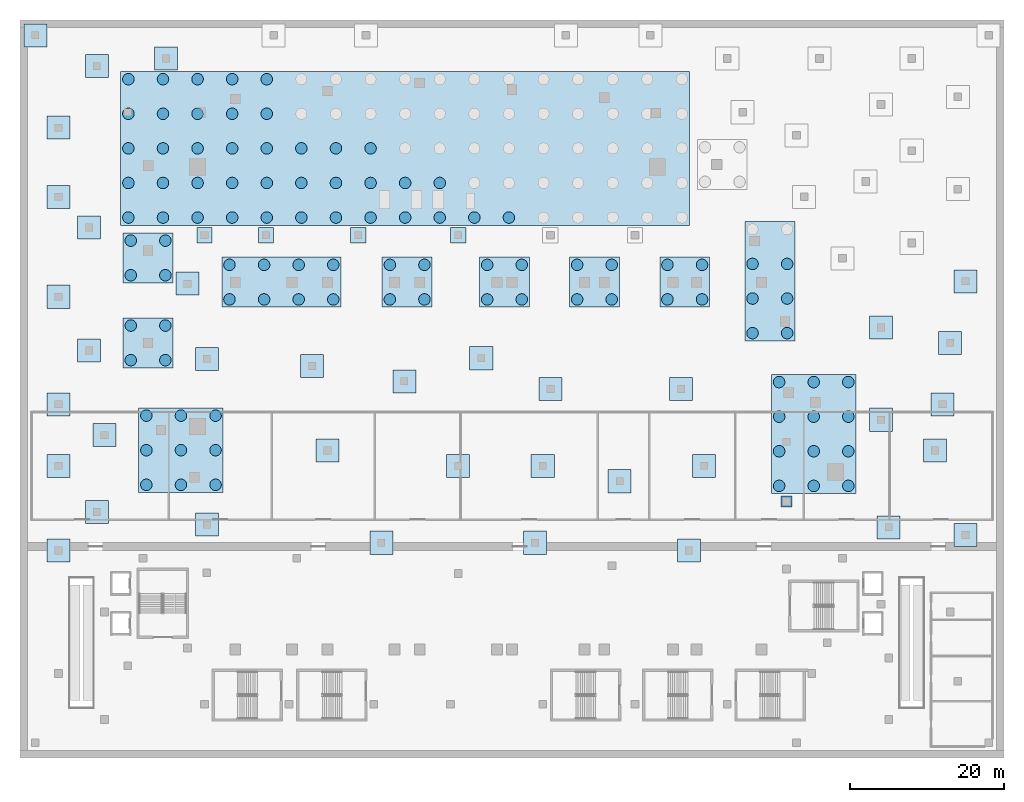
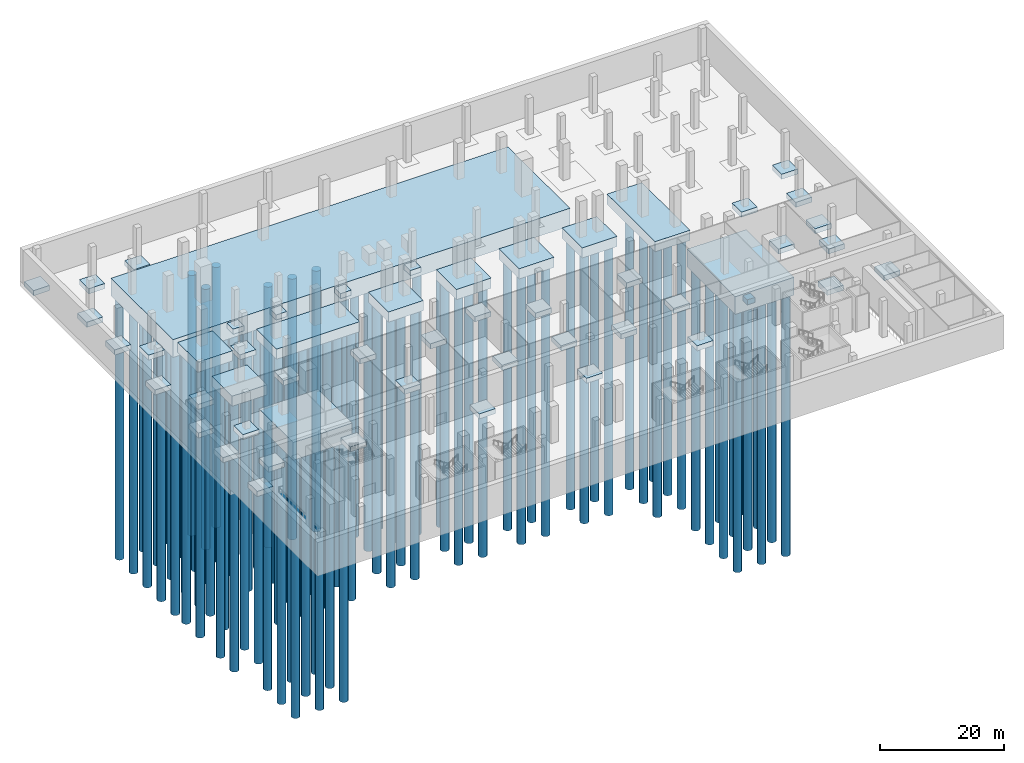
# One storey, part 1 of 15: 99 piles, 53 footings.
"""IFC4 building model written with IfcOpenShell, lengths in metres."""

from ifc_helpers import new_model, si_unit, direction, frame, origin, origin_2d, place, context, subcontext, project, spatial, polyline, circle, outline, extrude, material, material_profile, profile_set, type_object, element, save


model = new_model("IFC4")

# Units and contexts
model_context = context("Model", 3, precision=1e-05, world=origin(), true_north=direction((0.0, 1.0)))
body_context = subcontext(model_context, "Body", "Model", "MODEL_VIEW")
ifc_project = project(units=[si_unit("LENGTHUNIT", "METRE"), si_unit("AREAUNIT", "SQUARE_METRE"), si_unit("VOLUMEUNIT", "CUBIC_METRE"), si_unit("PLANEANGLEUNIT", "RADIAN"), si_unit("MASSUNIT", "GRAM", prefix="KILO")], contexts=[model_context])

# Site, building, storey
site_placement = place(None, origin())
site = spatial("IfcSite", under=ifc_project, at=site_placement, CompositionType="ELEMENT")
building_placement = place(site_placement, origin())
building = spatial("IfcBuilding", under=site, at=building_placement, Name="Wharfspan Tower", CompositionType="ELEMENT")
storey_placement = place(building_placement, frame((0.0, 0.0, -7.199951)))
storey = spatial("IfcBuildingStorey", under=building, at=storey_placement, Name="B1", CompositionType="ELEMENT", Elevation=-7.199951)

# Piles
ifc_material_1 = material(Name="Concrete C35/45", Category="concrete")
ifc_material_profile = material_profile(ifc_material_1, circle(Radius=0.75, at=origin_2d()))
ifc_profile_set = profile_set([ifc_material_profile], Name="Concrete C35/45")
pile_type = type_object("IfcPileType", Name="Bored pile D1500", PredefinedType="BORED", material=ifc_profile_set)
for number, where, z_axis, x_axis, name in (
    (1, (-1.899902, 34.300049, -3.425049), (0.0, 0.0, -1.0), (1.0, 0.0, 0.0), "Bored pile F01-01"),
    (2, (2.600098, 34.300049, -3.425049), (0.0, 0.0, -1.0), (1.0, 0.0, 0.0), "Bored pile F01-02"),
    (3, (7.100098, 34.300049, -3.425049), (0.0, 0.0, -1.0), (1.0, 0.0, 0.0), "Bored pile F01-03"),
    (4, (11.600098, 34.300049, -3.425049), (0.0, 0.0, -1.0), (1.0, 0.0, 0.0), "Bored pile F01-04"),
    (5, (16.100098, 34.300049, -3.425049), (0.0, 0.0, -1.0), (1.0, 0.0, 0.0), "Bored pile F01-05"),
    (6, (20.600098, 34.300049, -3.425049), (0.0, 0.0, -1.0), (1.0, 0.0, 0.0), "Bored pile F01-06"),
    (7, (25.100098, 34.300049, -3.425049), (0.0, 0.0, -1.0), (1.0, 0.0, 0.0), "Bored pile F01-07"),
    (8, (29.600098, 34.300049, -3.425049), (0.0, 0.0, -1.0), (1.0, 0.0, 0.0), "Bored pile F01-08"),
    (9, (34.100098, 34.300049, -3.425049), (0.0, 0.0, -1.0), (1.0, 0.0, 0.0), "Bored pile F01-09"),
    (10, (38.600098, 34.300049, -3.425049), (0.0, 0.0, -1.0), (1.0, 0.0, 0.0), "Bored pile F01-10"),
    (11, (43.100098, 34.300049, -3.425049), (0.0, 0.0, -1.0), (1.0, 0.0, 0.0), "Bored pile F01-11"),
    (12, (47.600098, 34.300049, -3.425049), (0.0, 0.0, -1.0), (1.0, 0.0, 0.0), "Bored pile F01-12"),
    (13, (-1.899902, 38.800049, -3.425049), (0.0, 0.0, -1.0), (1.0, 0.0, 0.0), "Bored pile F01-18"),
    (14, (2.600098, 38.800049, -3.425049), (0.0, 0.0, -1.0), (1.0, 0.0, 0.0), "Bored pile F01-19"),
    (15, (7.100098, 38.800049, -3.425049), (0.0, 0.0, -1.0), (1.0, 0.0, 0.0), "Bored pile F01-20"),
    (16, (11.600098, 38.800049, -3.425049), (0.0, 0.0, -1.0), (1.0, 0.0, 0.0), "Bored pile F01-21"),
    (17, (16.100098, 38.800049, -3.425049), (0.0, 0.0, -1.0), (1.0, 0.0, 0.0), "Bored pile F01-22"),
    (18, (20.600098, 38.800049, -3.425049), (0.0, 0.0, -1.0), (1.0, 0.0, 0.0), "Bored pile F01-23"),
    (19, (25.100098, 38.800049, -3.425049), (0.0, 0.0, -1.0), (1.0, 0.0, 0.0), "Bored pile F01-24"),
    (20, (29.600098, 38.800049, -3.425049), (0.0, 0.0, -1.0), (1.0, 0.0, 0.0), "Bored pile F01-25"),
    (21, (34.100098, 38.800049, -3.425049), (0.0, 0.0, -1.0), (1.0, 0.0, 0.0), "Bored pile F01-26"),
    (22, (38.600098, 38.800049, -3.425049), (0.0, 0.0, -1.0), (1.0, 0.0, 0.0), "Bored pile F01-27"),
    (23, (-1.899902, 43.300049, -3.425049), (0.0, 0.0, -1.0), (1.0, 0.0, 0.0), "Bored pile F01-35"),
    (24, (2.600098, 43.300049, -3.425049), (0.0, 0.0, -1.0), (1.0, 0.0, 0.0), "Bored pile F01-36"),
    (25, (7.100098, 43.300049, -3.425049), (0.0, 0.0, -1.0), (1.0, 0.0, 0.0), "Bored pile F01-37"),
    (26, (11.600098, 43.300049, -3.425049), (0.0, 0.0, -1.0), (1.0, 0.0, 0.0), "Bored pile F01-38"),
    (27, (16.100098, 43.300049, -3.425049), (0.0, 0.0, -1.0), (1.0, 0.0, 0.0), "Bored pile F01-39"),
    (28, (20.600098, 43.300049, -3.425049), (0.0, 0.0, -1.0), (1.0, 0.0, 0.0), "Bored pile F01-40"),
    (29, (25.100098, 43.300049, -3.425049), (0.0, 0.0, -1.0), (1.0, 0.0, 0.0), "Bored pile F01-41"),
    (30, (29.600098, 43.300049, -3.425049), (0.0, 0.0, -1.0), (1.0, 0.0, 0.0), "Bored pile F01-42"),
    (31, (-1.899902, 47.800049, -3.425049), (0.0, 0.0, -1.0), (1.0, 0.0, 0.0), "Bored pile F01-52"),
    (32, (2.600098, 47.800049, -3.425049), (0.0, 0.0, -1.0), (1.0, 0.0, 0.0), "Bored pile F01-53"),
    (33, (7.100098, 47.800049, -3.425049), (0.0, 0.0, -1.0), (1.0, 0.0, 0.0), "Bored pile F01-54"),
    (34, (11.600098, 47.800049, -3.425049), (0.0, 0.0, -1.0), (1.0, 0.0, 0.0), "Bored pile F01-55"),
    (35, (16.100098, 47.800049, -3.425049), (0.0, 0.0, -1.0), (1.0, 0.0, 0.0), "Bored pile F01-56"),
    (36, (-1.899902, 52.300049, -3.425049), (0.0, 0.0, -1.0), (1.0, 0.0, 0.0), "Bored pile F01-69"),
    (37, (2.600098, 52.300049, -3.425049), (0.0, 0.0, -1.0), (1.0, 0.0, 0.0), "Bored pile F01-70"),
    (38, (7.100098, 52.300049, -3.425049), (0.0, 0.0, -1.0), (1.0, 0.0, 0.0), "Bored pile F01-71"),
    (39, (11.600098, 52.300049, -3.425049), (0.0, 0.0, -1.0), (1.0, 0.0, 0.0), "Bored pile F01-72"),
    (40, (16.100098, 52.300049, -3.425049), (0.0, 0.0, -1.0), (1.0, 0.0, 0.0), "Bored pile F01-73"),
    (41, (82.748291, -0.600098, -3.425049), (0.0, 0.0, -1.0), (1.0, 0.0, 0.0), "Bored pile F08-01"),
    (42, (87.248291, -0.600098, -3.425049), (0.0, 0.0, -1.0), (1.0, 0.0, 0.0), "Bored pile F08-02"),
    (43, (91.748291, -0.600098, -3.425049), (0.0, 0.0, -1.0), (1.0, 0.0, 0.0), "Bored pile F08-03"),
    (44, (82.748291, 3.899902, -3.425049), (0.0, 0.0, -1.0), (1.0, 0.0, 0.0), "Bored pile F08-04"),
    (45, (87.248291, 3.899902, -3.425049), (0.0, 0.0, -1.0), (1.0, 0.0, 0.0), "Bored pile F08-05"),
    (46, (91.748291, 3.899902, -3.425049), (0.0, 0.0, -1.0), (1.0, 0.0, 0.0), "Bored pile F08-06"),
    (47, (82.748291, 8.399902, -3.425049), (0.0, 0.0, -1.0), (1.0, 0.0, 0.0), "Bored pile F08-07"),
    (48, (87.248291, 8.399902, -3.425049), (0.0, 0.0, -1.0), (1.0, 0.0, 0.0), "Bored pile F08-08"),
    (49, (91.748291, 8.399902, -3.425049), (0.0, 0.0, -1.0), (1.0, 0.0, 0.0), "Bored pile F08-09"),
    (50, (82.748291, 12.899902, -3.425049), (0.0, 0.0, -1.0), (1.0, 0.0, 0.0), "Bored pile F08-10"),
    (51, (87.248291, 12.899902, -3.425049), (0.0, 0.0, -1.0), (1.0, 0.0, 0.0), "Bored pile F08-11"),
    (52, (91.748291, 12.899902, -3.425049), (0.0, 0.0, -1.0), (1.0, 0.0, 0.0), "Bored pile F08-12"),
    (53, (0.435791, -0.46582, -3.425049), (0.0, 0.0, -1.0), (1.0, 0.0, 0.0), "Bored pile F09-01"),
    (54, (4.935791, -0.46582, -3.425049), (0.0, 0.0, -1.0), (1.0, 0.0, 0.0), "Bored pile F09-02"),
    (55, (9.435791, -0.46582, -3.425049), (0.0, 0.0, -1.0), (1.0, 0.0, 0.0), "Bored pile F09-03"),
    (56, (0.435791, 4.03418, -3.425049), (0.0, 0.0, -1.0), (1.0, 0.0, 0.0), "Bored pile F09-04"),
    (57, (4.935791, 4.03418, -3.425049), (0.0, 0.0, -1.0), (1.0, 0.0, 0.0), "Bored pile F09-05"),
    (58, (9.435791, 4.03418, -3.425049), (0.0, 0.0, -1.0), (1.0, 0.0, 0.0), "Bored pile F09-06"),
    (59, (0.435791, 8.53418, -3.425049), (0.0, 0.0, -1.0), (1.0, 0.0, 0.0), "Bored pile F09-07"),
    (60, (4.935791, 8.53418, -3.425049), (0.0, 0.0, -1.0), (1.0, 0.0, 0.0), "Bored pile F09-08"),
    (61, (9.435791, 8.53418, -3.425049), (0.0, 0.0, -1.0), (1.0, 0.0, 0.0), "Bored pile F09-09"),
):
    element("IfcPile", number, at=place(storey_placement, frame(where, z_axis=z_axis, x_axis=x_axis)), inside=storey, type_object=pile_type, Name=name, PredefinedType="BORED", context=body_context, shape_type="SweptSolid", body=[
        extrude(circle(Radius=0.75, at=origin_2d()), origin(), (0.0, 0.0, 1.0), 51.375),
    ])
for number, where, z_axis, x_axis, name in (
    (62, (-1.590088, 15.75, -1.925049), (0.0, 0.0, -1.0), (1.0, 0.0, 0.0), "Bored pile F10-01"),
    (63, (2.909912, 15.75, -1.925049), (0.0, 0.0, -1.0), (1.0, 0.0, 0.0), "Bored pile F10-02"),
    (64, (-1.590088, 20.25, -1.925049), (0.0, 0.0, -1.0), (1.0, 0.0, 0.0), "Bored pile F10-03"),
    (65, (2.909912, 20.25, -1.925049), (0.0, 0.0, -1.0), (1.0, 0.0, 0.0), "Bored pile F10-04"),
    (66, (79.28833, 19.268311, -1.925049), (0.0, 0.0, -1.0), (1.0, 0.0, 0.0), "Bored pile F11-01"),
    (67, (83.78833, 19.268311, -1.925049), (0.0, 0.0, -1.0), (1.0, 0.0, 0.0), "Bored pile F11-02"),
    (68, (79.28833, 23.768311, -1.925049), (0.0, 0.0, -1.0), (1.0, 0.0, 0.0), "Bored pile F11-03"),
    (69, (83.78833, 23.768311, -1.925049), (0.0, 0.0, -1.0), (1.0, 0.0, 0.0), "Bored pile F11-04"),
    (70, (79.28833, 28.268311, -1.925049), (0.0, 0.0, -1.0), (1.0, 0.0, 0.0), "Bored pile F11-05"),
    (71, (83.78833, 28.268311, -1.925049), (0.0, 0.0, -1.0), (1.0, 0.0, 0.0), "Bored pile F11-06"),
    (72, (11.25, 23.649902, -1.925049), (0.0, 0.0, -1.0), (1.0, 0.0, 0.0), "Bored pile F12-01"),
    (73, (15.75, 23.649902, -1.925049), (0.0, 0.0, -1.0), (1.0, 0.0, 0.0), "Bored pile F12-02"),
    (74, (20.25, 23.649902, -1.925049), (0.0, 0.0, -1.0), (1.0, 0.0, 0.0), "Bored pile F12-03"),
    (75, (24.75, 23.649902, -1.925049), (0.0, 0.0, -1.0), (1.0, 0.0, 0.0), "Bored pile F12-04"),
    (76, (11.25, 28.149902, -1.925049), (0.0, 0.0, -1.0), (1.0, 0.0, 0.0), "Bored pile F12-05"),
    (77, (15.75, 28.149902, -1.925049), (0.0, 0.0, -1.0), (1.0, 0.0, 0.0), "Bored pile F12-06"),
    (78, (20.25, 28.149902, -1.925049), (0.0, 0.0, -1.0), (1.0, 0.0, 0.0), "Bored pile F12-07"),
    (79, (24.75, 28.149902, -1.925049), (0.0, 0.0, -1.0), (1.0, 0.0, 0.0), "Bored pile F12-08"),
    (80, (32.112061, 23.649902, -1.925049), (0.0, 0.0, -1.0), (1.0, 0.0, 0.0), "Bored pile F13-01"),
    (81, (36.612061, 23.649902, -1.925049), (0.0, 0.0, -1.0), (1.0, 0.0, 0.0), "Bored pile F13-02"),
    (82, (32.112061, 28.149902, -1.925049), (0.0, 0.0, -1.0), (1.0, 0.0, 0.0), "Bored pile F13-03"),
    (83, (36.612061, 28.149902, -1.925049), (0.0, 0.0, -1.0), (1.0, 0.0, 0.0), "Bored pile F13-04"),
    (84, (44.770996, 23.649902, -1.925049), (0.0, 0.0, -1.0), (1.0, 0.0, 0.0), "Bored pile F14-01"),
    (85, (49.270996, 23.649902, -1.925049), (0.0, 0.0, -1.0), (1.0, 0.0, 0.0), "Bored pile F14-02"),
    (86, (44.770996, 28.149902, -1.925049), (0.0, 0.0, -1.0), (1.0, 0.0, 0.0), "Bored pile F14-03"),
    (87, (49.270996, 28.149902, -1.925049), (0.0, 0.0, -1.0), (1.0, 0.0, 0.0), "Bored pile F14-04"),
    (88, (56.470947, 23.649902, -1.925049), (0.0, 0.0, -1.0), (1.0, 0.0, 0.0), "Bored pile F15-01"),
    (89, (60.970947, 23.649902, -1.925049), (0.0, 0.0, -1.0), (1.0, 0.0, 0.0), "Bored pile F15-02"),
    (90, (56.470947, 28.149902, -1.925049), (0.0, 0.0, -1.0), (1.0, 0.0, 0.0), "Bored pile F15-03"),
    (91, (60.970947, 28.149902, -1.925049), (0.0, 0.0, -1.0), (1.0, 0.0, 0.0), "Bored pile F15-04"),
    (92, (68.220947, 23.649902, -1.925049), (0.0, 0.0, -1.0), (1.0, 0.0, 0.0), "Bored pile F16-01"),
    (93, (72.720947, 23.649902, -1.925049), (0.0, 0.0, -1.0), (1.0, 0.0, 0.0), "Bored pile F16-02"),
    (94, (68.220947, 28.149902, -1.925049), (0.0, 0.0, -1.0), (1.0, 0.0, 0.0), "Bored pile F16-03"),
    (95, (72.720947, 28.149902, -1.925049), (0.0, 0.0, -1.0), (1.0, 0.0, 0.0), "Bored pile F16-04"),
    (96, (-1.590088, 26.800049, -1.925049), (0.0, 0.0, -1.0), (1.0, 0.0, 0.0), "Bored pile F17-01"),
    (97, (2.909912, 26.800049, -1.925049), (0.0, 0.0, -1.0), (1.0, 0.0, 0.0), "Bored pile F17-02"),
    (98, (-1.590088, 31.300049, -1.925049), (0.0, 0.0, -1.0), (1.0, 0.0, 0.0), "Bored pile F17-03"),
    (99, (2.909912, 31.300049, -1.925049), (0.0, 0.0, -1.0), (1.0, 0.0, 0.0), "Bored pile F17-04"),
):
    element("IfcPile", number, at=place(storey_placement, frame(where, z_axis=z_axis, x_axis=x_axis)), inside=storey, type_object=pile_type, Name=name, PredefinedType="BORED", context=body_context, shape_type="SweptSolid", body=[
        extrude(circle(Radius=0.75, at=origin_2d()), origin(), (0.0, 0.0, 1.0), 52.875),
    ])

# Footings
footing_type_1 = type_object("IfcFootingType", Name="Pad footing 1400 square, 1000 deep", PredefinedType="PAD_FOOTING", material=ifc_material_1)
footing_1_placement = place(storey_placement, frame((0.0, 0.0, -1.0)))
element("IfcFooting", 100, at=footing_1_placement, inside=storey, type_object=footing_type_1, Name="Pad footing P.G.E7", PredefinedType="PAD_FOOTING", context=body_context, shape_type="SweptSolid", body=[
    extrude(outline(polyline([(83.0, -3.340088), (84.399902, -3.340088), (84.399902, -1.939941), (83.0, -1.939941), (83.0, -3.340088)])), origin(), (0.0, 0.0, 1.0), 1.0),
])
footing_type_2 = type_object("IfcFootingType", Name="Pad footing 2000 square, 1000 deep", PredefinedType="PAD_FOOTING", material=ifc_material_1)
footing_2_placement = place(storey_placement, frame((0.0, 0.0, -1.0)))
element("IfcFooting", 101, at=footing_2_placement, inside=storey, type_object=footing_type_2, Name="Pad footing P.D.50", PredefinedType="PAD_FOOTING", context=body_context, shape_type="SweptSolid", body=[
    extrude(outline(polyline([(7.0, 31.0), (9.0, 31.0), (9.0, 33.0), (7.0, 33.0), (7.0, 31.0)])), origin(), (0.0, 0.0, 1.0), 1.0),
])
footing_3_placement = place(storey_placement, frame((0.0, 0.0, -1.0)))
element("IfcFooting", 102, at=footing_3_placement, inside=storey, type_object=footing_type_2, Name="Pad footing P.D.47", PredefinedType="PAD_FOOTING", context=body_context, shape_type="SweptSolid", body=[
    extrude(outline(polyline([(15.0, 31.0), (17.0, 31.0), (17.0, 33.0), (15.0, 33.0), (15.0, 31.0)])), origin(), (0.0, 0.0, 1.0), 1.0),
])
footing_4_placement = place(storey_placement, frame((0.0, 0.0, -1.0)))
element("IfcFooting", 103, at=footing_4_placement, inside=storey, type_object=footing_type_2, Name="Pad footing P.D.42", PredefinedType="PAD_FOOTING", context=body_context, shape_type="SweptSolid", body=[
    extrude(outline(polyline([(27.0, 31.0), (29.0, 31.0), (29.0, 33.0), (27.0, 33.0), (27.0, 31.0)])), origin(), (0.0, 0.0, 1.0), 1.0),
])
footing_5_placement = place(storey_placement, frame((0.0, 0.0, -1.0)))
element("IfcFooting", 104, at=footing_5_placement, inside=storey, type_object=footing_type_2, Name="Pad footing P.D.37", PredefinedType="PAD_FOOTING", context=body_context, shape_type="SweptSolid", body=[
    extrude(outline(polyline([(40.0, 31.0), (42.0, 31.0), (42.0, 33.0), (40.0, 33.0), (40.0, 31.0)])), origin(), (0.0, 0.0, 1.0), 1.0),
])
footing_type_3 = type_object("IfcFootingType", Name="Pad footing 3000 square, 1000 deep", PredefinedType="PAD_FOOTING", material=ifc_material_1)
footing_6_placement = place(storey_placement, frame((0.0, 0.0, -1.0)))
element("IfcFooting", 105, at=footing_6_placement, inside=storey, type_object=footing_type_3, Name="Pad footing P.D.4", PredefinedType="PAD_FOOTING", context=body_context, shape_type="SweptSolid", body=[
    extrude(outline(polyline([(-12.5, -10.5), (-9.5, -10.5), (-9.5, -7.5), (-12.5, -7.5), (-12.5, -10.5)])), origin(), (0.0, 0.0, 1.0), 1.0),
])
footing_7_placement = place(storey_placement, frame((0.0, 0.0, -1.0)))
element("IfcFooting", 106, at=footing_7_placement, inside=storey, type_object=footing_type_3, Name="Pad footing P.B.9", PredefinedType="PAD_FOOTING", context=body_context, shape_type="SweptSolid", body=[
    extrude(outline(polyline([(69.5, -10.5), (72.5, -10.5), (72.5, -7.5), (69.5, -7.5), (69.5, -10.5)])), origin(), (0.0, 0.0, 1.0), 1.0),
])
footing_8_placement = place(storey_placement, frame((0.0, 0.0, -1.0)))
element("IfcFooting", 107, at=footing_8_placement, inside=storey, type_object=footing_type_3, Name="Pad footing P.B.6", PredefinedType="PAD_FOOTING", context=body_context, shape_type="SweptSolid", body=[
    extrude(outline(polyline([(29.5, -9.5), (32.5, -9.5), (32.5, -6.5), (29.5, -6.5), (29.5, -9.5)])), origin(), (0.0, 0.0, 1.0), 1.0),
])
footing_9_placement = place(storey_placement, frame((0.0, 0.0, -1.0)))
element("IfcFooting", 108, at=footing_9_placement, inside=storey, type_object=footing_type_3, Name="Pad footing P.B.7", PredefinedType="PAD_FOOTING", context=body_context, shape_type="SweptSolid", body=[
    extrude(outline(polyline([(49.5, -9.5), (52.5, -9.5), (52.5, -6.5), (49.5, -6.5), (49.5, -9.5)])), origin(), (0.0, 0.0, 1.0), 1.0),
])
footing_10_placement = place(storey_placement, frame((0.0, 0.0, -1.0)))
element("IfcFooting", 109, at=footing_10_placement, inside=storey, type_object=footing_type_3, Name="Pad footing P.D.5", PredefinedType="PAD_FOOTING", context=body_context, shape_type="SweptSolid", body=[
    extrude(outline(polyline([(105.5, -8.5), (108.5, -8.5), (108.5, -5.5), (105.5, -5.5), (105.5, -8.5)])), origin(), (0.0, 0.0, 1.0), 1.0),
])
footing_11_placement = place(storey_placement, frame((0.0, 0.0, -1.0)))
element("IfcFooting", 110, at=footing_11_placement, inside=storey, type_object=footing_type_3, Name="Pad footing P.D.28", PredefinedType="PAD_FOOTING", context=body_context, shape_type="SweptSolid", body=[
    extrude(outline(polyline([(95.5, -7.5), (98.5, -7.5), (98.5, -4.5), (95.5, -4.5), (95.5, -7.5)])), origin(), (0.0, 0.0, 1.0), 1.0),
])
footing_12_placement = place(storey_placement, frame((0.0, 0.0, -1.0)))
element("IfcFooting", 111, at=footing_12_placement, inside=storey, type_object=footing_type_3, Name="Pad footing P.G.W4", PredefinedType="PAD_FOOTING", context=body_context, shape_type="SweptSolid", body=[
    extrude(outline(polyline([(6.800049, -7.139893), (9.800049, -7.139893), (9.800049, -4.139893), (6.800049, -4.139893), (6.800049, -7.139893)])), origin(), (0.0, 0.0, 1.0), 1.0),
])
footing_13_placement = place(storey_placement, frame((0.0, 0.0, -1.0)))
element("IfcFooting", 112, at=footing_13_placement, inside=storey, type_object=footing_type_3, Name="Pad footing P.D.24", PredefinedType="PAD_FOOTING", context=body_context, shape_type="SweptSolid", body=[
    extrude(outline(polyline([(-7.5, -5.5), (-4.5, -5.5), (-4.5, -2.5), (-7.5, -2.5), (-7.5, -5.5)])), origin(), (0.0, 0.0, 1.0), 1.0),
])
footing_14_placement = place(storey_placement, frame((0.0, 0.0, -1.0)))
element("IfcFooting", 113, at=footing_14_placement, inside=storey, type_object=footing_type_3, Name="Pad footing P.B.2", PredefinedType="PAD_FOOTING", context=body_context, shape_type="SweptSolid", body=[
    extrude(outline(polyline([(60.5, -1.5), (63.5, -1.5), (63.5, 1.5), (60.5, 1.5), (60.5, -1.5)])), origin(), (0.0, 0.0, 1.0), 1.0),
])
footing_15_placement = place(storey_placement, frame((0.0, 0.0, -1.0)))
element("IfcFooting", 114, at=footing_15_placement, inside=storey, type_object=footing_type_3, Name="Pad footing P.D.48", PredefinedType="PAD_FOOTING", context=body_context, shape_type="SweptSolid", body=[
    extrude(outline(polyline([(-12.5, 0.5), (-9.5, 0.5), (-9.5, 3.5), (-12.5, 3.5), (-12.5, 0.5)])), origin(), (0.0, 0.0, 1.0), 1.0),
])
footing_16_placement = place(storey_placement, frame((0.0, 0.0, -1.0)))
element("IfcFooting", 115, at=footing_16_placement, inside=storey, type_object=footing_type_3, Name="Pad footing P.B.1", PredefinedType="PAD_FOOTING", context=body_context, shape_type="SweptSolid", body=[
    extrude(outline(polyline([(39.5, 0.5), (42.5, 0.5), (42.5, 3.5), (39.5, 3.5), (39.5, 0.5)])), origin(), (0.0, 0.0, 1.0), 1.0),
])
footing_17_placement = place(storey_placement, frame((0.0, 0.0, -1.0)))
element("IfcFooting", 116, at=footing_17_placement, inside=storey, type_object=footing_type_3, Name="Pad footing P.B.23", PredefinedType="PAD_FOOTING", context=body_context, shape_type="SweptSolid", body=[
    extrude(outline(polyline([(50.5, 0.5), (53.5, 0.5), (53.5, 3.5), (50.5, 3.5), (50.5, 0.5)])), origin(), (0.0, 0.0, 1.0), 1.0),
])
footing_18_placement = place(storey_placement, frame((0.0, 0.0, -1.0)))
element("IfcFooting", 117, at=footing_18_placement, inside=storey, type_object=footing_type_3, Name="Pad footing P.B.16", PredefinedType="PAD_FOOTING", context=body_context, shape_type="SweptSolid", body=[
    extrude(outline(polyline([(71.5, 0.5), (74.5, 0.5), (74.5, 3.5), (71.5, 3.5), (71.5, 0.5)])), origin(), (0.0, 0.0, 1.0), 1.0),
])
footing_19_placement = place(storey_placement, frame((0.0, 0.0, -1.0)))
element("IfcFooting", 118, at=footing_19_placement, inside=storey, type_object=footing_type_3, Name="Pad footing P.B.3", PredefinedType="PAD_FOOTING", context=body_context, shape_type="SweptSolid", body=[
    extrude(outline(polyline([(22.5, 2.5), (25.5, 2.5), (25.5, 5.5), (22.5, 5.5), (22.5, 2.5)])), origin(), (0.0, 0.0, 1.0), 1.0),
])
footing_20_placement = place(storey_placement, frame((0.0, 0.0, -1.0)))
element("IfcFooting", 119, at=footing_20_placement, inside=storey, type_object=footing_type_3, Name="Pad footing P.D.36", PredefinedType="PAD_FOOTING", context=body_context, shape_type="SweptSolid", body=[
    extrude(outline(polyline([(101.5, 2.5), (104.5, 2.5), (104.5, 5.5), (101.5, 5.5), (101.5, 2.5)])), origin(), (0.0, 0.0, 1.0), 1.0),
])
footing_21_placement = place(storey_placement, frame((0.0, 0.0, -1.0)))
element("IfcFooting", 120, at=footing_21_placement, inside=storey, type_object=footing_type_3, Name="Pad footing P.D.56", PredefinedType="PAD_FOOTING", context=body_context, shape_type="SweptSolid", body=[
    extrude(outline(polyline([(-6.5, 4.5), (-3.5, 4.5), (-3.5, 7.5), (-6.5, 7.5), (-6.5, 4.5)])), origin(), (0.0, 0.0, 1.0), 1.0),
])
footing_22_placement = place(storey_placement, frame((0.0, 0.0, -1.0)))
element("IfcFooting", 121, at=footing_22_placement, inside=storey, type_object=footing_type_3, Name="Pad footing P.D.45", PredefinedType="PAD_FOOTING", context=body_context, shape_type="SweptSolid", body=[
    extrude(outline(polyline([(94.5, 6.5), (97.5, 6.5), (97.5, 9.5), (94.5, 9.5), (94.5, 6.5)])), origin(), (0.0, 0.0, 1.0), 1.0),
])
footing_23_placement = place(storey_placement, frame((0.0, 0.0, -1.0)))
element("IfcFooting", 122, at=footing_23_placement, inside=storey, type_object=footing_type_3, Name="Pad footing P.D.12", PredefinedType="PAD_FOOTING", context=body_context, shape_type="SweptSolid", body=[
    extrude(outline(polyline([(-12.5, 8.5), (-9.5, 8.5), (-9.5, 11.5), (-12.5, 11.5), (-12.5, 8.5)])), origin(), (0.0, 0.0, 1.0), 1.0),
])
footing_24_placement = place(storey_placement, frame((0.0, 0.0, -1.0)))
element("IfcFooting", 123, at=footing_24_placement, inside=storey, type_object=footing_type_3, Name="Pad footing P.D.9", PredefinedType="PAD_FOOTING", context=body_context, shape_type="SweptSolid", body=[
    extrude(outline(polyline([(102.5, 8.5), (105.5, 8.5), (105.5, 11.5), (102.5, 11.5), (102.5, 8.5)])), origin(), (0.0, 0.0, 1.0), 1.0),
])
footing_25_placement = place(storey_placement, frame((0.0, 0.0, -1.0)))
element("IfcFooting", 124, at=footing_25_placement, inside=storey, type_object=footing_type_3, Name="Pad footing P.B.4", PredefinedType="PAD_FOOTING", context=body_context, shape_type="SweptSolid", body=[
    extrude(outline(polyline([(51.5, 10.5), (54.5, 10.5), (54.5, 13.5), (51.5, 13.5), (51.5, 10.5)])), origin(), (0.0, 0.0, 1.0), 1.0),
])
footing_26_placement = place(storey_placement, frame((0.0, 0.0, -1.0)))
element("IfcFooting", 125, at=footing_26_placement, inside=storey, type_object=footing_type_3, Name="Pad footing P.B.5", PredefinedType="PAD_FOOTING", context=body_context, shape_type="SweptSolid", body=[
    extrude(outline(polyline([(68.5, 10.5), (71.5, 10.5), (71.5, 13.5), (68.5, 13.5), (68.5, 10.5)])), origin(), (0.0, 0.0, 1.0), 1.0),
])
footing_27_placement = place(storey_placement, frame((0.0, 0.0, -1.0)))
element("IfcFooting", 126, at=footing_27_placement, inside=storey, type_object=footing_type_3, Name="Pad footing P.B.8", PredefinedType="PAD_FOOTING", context=body_context, shape_type="SweptSolid", body=[
    extrude(outline(polyline([(32.5, 11.5), (35.5, 11.5), (35.5, 14.5), (32.5, 14.5), (32.5, 11.5)])), origin(), (0.0, 0.0, 1.0), 1.0),
])
footing_28_placement = place(storey_placement, frame((0.0, 0.0, -1.0)))
element("IfcFooting", 127, at=footing_28_placement, inside=storey, type_object=footing_type_3, Name="Pad footing P.B.11", PredefinedType="PAD_FOOTING", context=body_context, shape_type="SweptSolid", body=[
    extrude(outline(polyline([(20.5, 13.5), (23.5, 13.5), (23.5, 16.5), (20.5, 16.5), (20.5, 13.5)])), origin(), (0.0, 0.0, 1.0), 1.0),
])
footing_29_placement = place(storey_placement, frame((0.0, 0.0, -1.0)))
element("IfcFooting", 128, at=footing_29_placement, inside=storey, type_object=footing_type_3, Name="Pad footing P.G.W5", PredefinedType="PAD_FOOTING", context=body_context, shape_type="SweptSolid", body=[
    extrude(outline(polyline([(6.800049, 14.419922), (9.800049, 14.419922), (9.800049, 17.419922), (6.800049, 17.419922), (6.800049, 14.419922)])), origin(), (0.0, 0.0, 1.0), 1.0),
])
footing_30_placement = place(storey_placement, frame((0.0, 0.0, -1.0)))
element("IfcFooting", 129, at=footing_30_placement, inside=storey, type_object=footing_type_3, Name="Pad footing P.B.24", PredefinedType="PAD_FOOTING", context=body_context, shape_type="SweptSolid", body=[
    extrude(outline(polyline([(42.5, 14.5), (45.5, 14.5), (45.5, 17.5), (42.5, 17.5), (42.5, 14.5)])), origin(), (0.0, 0.0, 1.0), 1.0),
])
footing_31_placement = place(storey_placement, frame((0.0, 0.0, -1.0)))
element("IfcFooting", 130, at=footing_31_placement, inside=storey, type_object=footing_type_3, Name="Pad footing P.D.49", PredefinedType="PAD_FOOTING", context=body_context, shape_type="SweptSolid", body=[
    extrude(outline(polyline([(-8.5, 15.5), (-5.5, 15.5), (-5.5, 18.5), (-8.5, 18.5), (-8.5, 15.5)])), origin(), (0.0, 0.0, 1.0), 1.0),
])
footing_32_placement = place(storey_placement, frame((0.0, 0.0, -1.0)))
element("IfcFooting", 131, at=footing_32_placement, inside=storey, type_object=footing_type_3, Name="Pad footing P.D.46", PredefinedType="PAD_FOOTING", context=body_context, shape_type="SweptSolid", body=[
    extrude(outline(polyline([(103.5, 16.5), (106.5, 16.5), (106.5, 19.5), (103.5, 19.5), (103.5, 16.5)])), origin(), (0.0, 0.0, 1.0), 1.0),
])
footing_33_placement = place(storey_placement, frame((0.0, 0.0, -1.0)))
element("IfcFooting", 132, at=footing_33_placement, inside=storey, type_object=footing_type_3, Name="Pad footing P.D.15", PredefinedType="PAD_FOOTING", context=body_context, shape_type="SweptSolid", body=[
    extrude(outline(polyline([(94.5, 18.5), (97.5, 18.5), (97.5, 21.5), (94.5, 21.5), (94.5, 18.5)])), origin(), (0.0, 0.0, 1.0), 1.0),
])
footing_34_placement = place(storey_placement, frame((0.0, 0.0, -1.0)))
element("IfcFooting", 133, at=footing_34_placement, inside=storey, type_object=footing_type_3, Name="Pad footing P.D.14", PredefinedType="PAD_FOOTING", context=body_context, shape_type="SweptSolid", body=[
    extrude(outline(polyline([(-12.5, 22.5), (-9.5, 22.5), (-9.5, 25.5), (-12.5, 25.5), (-12.5, 22.5)])), origin(), (0.0, 0.0, 1.0), 1.0),
])
footing_35_placement = place(storey_placement, frame((0.0, 0.0, -1.0)))
element("IfcFooting", 134, at=footing_35_placement, inside=storey, type_object=footing_type_3, Name="Pad footing P.G.N2", PredefinedType="PAD_FOOTING", context=body_context, shape_type="SweptSolid", body=[
    extrude(outline(polyline([(4.300049, 24.199951), (7.300049, 24.199951), (7.300049, 27.199951), (4.300049, 27.199951), (4.300049, 24.199951)])), origin(), (0.0, 0.0, 1.0), 1.0),
])
footing_36_placement = place(storey_placement, frame((0.0, 0.0, -1.0)))
element("IfcFooting", 135, at=footing_36_placement, inside=storey, type_object=footing_type_3, Name="Pad footing P.D.3", PredefinedType="PAD_FOOTING", context=body_context, shape_type="SweptSolid", body=[
    extrude(outline(polyline([(105.5, 24.5), (108.5, 24.5), (108.5, 27.5), (105.5, 27.5), (105.5, 24.5)])), origin(), (0.0, 0.0, 1.0), 1.0),
])
footing_37_placement = place(storey_placement, frame((0.0, 0.0, -1.0)))
element("IfcFooting", 136, at=footing_37_placement, inside=storey, type_object=footing_type_3, Name="Pad footing P.D.55", PredefinedType="PAD_FOOTING", context=body_context, shape_type="SweptSolid", body=[
    extrude(outline(polyline([(-8.5, 31.5), (-5.5, 31.5), (-5.5, 34.5), (-8.5, 34.5), (-8.5, 31.5)])), origin(), (0.0, 0.0, 1.0), 1.0),
])
footing_38_placement = place(storey_placement, frame((0.0, 0.0, -1.0)))
element("IfcFooting", 137, at=footing_38_placement, inside=storey, type_object=footing_type_3, Name="Pad footing P.D.16", PredefinedType="PAD_FOOTING", context=body_context, shape_type="SweptSolid", body=[
    extrude(outline(polyline([(-12.5, 35.5), (-9.5, 35.5), (-9.5, 38.5), (-12.5, 38.5), (-12.5, 35.5)])), origin(), (0.0, 0.0, 1.0), 1.0),
])
footing_39_placement = place(storey_placement, frame((0.0, 0.0, -1.0)))
element("IfcFooting", 138, at=footing_39_placement, inside=storey, type_object=footing_type_3, Name="Pad footing P.D.35", PredefinedType="PAD_FOOTING", context=body_context, shape_type="SweptSolid", body=[
    extrude(outline(polyline([(-12.5, 44.5), (-9.5, 44.5), (-9.5, 47.5), (-12.5, 47.5), (-12.5, 44.5)])), origin(), (0.0, 0.0, 1.0), 1.0),
])
footing_40_placement = place(storey_placement, frame((0.0, 0.0, -1.0)))
element("IfcFooting", 139, at=footing_40_placement, inside=storey, type_object=footing_type_3, Name="Pad footing P.D.10", PredefinedType="PAD_FOOTING", context=body_context, shape_type="SweptSolid", body=[
    extrude(outline(polyline([(-7.5, 52.5), (-4.5, 52.5), (-4.5, 55.5), (-7.5, 55.5), (-7.5, 52.5)])), origin(), (0.0, 0.0, 1.0), 1.0),
])
footing_41_placement = place(storey_placement, frame((0.0, 0.0, -1.0)))
element("IfcFooting", 140, at=footing_41_placement, inside=storey, type_object=footing_type_3, Name="Pad footing P.D.41", PredefinedType="PAD_FOOTING", context=body_context, shape_type="SweptSolid", body=[
    extrude(outline(polyline([(1.5, 53.5), (4.5, 53.5), (4.5, 56.5), (1.5, 56.5), (1.5, 53.5)])), origin(), (0.0, 0.0, 1.0), 1.0),
])
footing_42_placement = place(storey_placement, frame((0.0, 0.0, -1.0)))
element("IfcFooting", 141, at=footing_42_placement, inside=storey, type_object=footing_type_3, Name="Pad footing P.B.18", PredefinedType="PAD_FOOTING", context=body_context, shape_type="SweptSolid", body=[
    extrude(outline(polyline([(-15.5, 56.5), (-12.5, 56.5), (-12.5, 59.5), (-15.5, 59.5), (-15.5, 56.5)])), origin(), (0.0, 0.0, 1.0), 1.0),
])
ifc_material_2 = material(Name="Concrete C40/50", Category="concrete")
footing_type_4 = type_object("IfcFootingType", Name="Pile cap 17 x 5 piles, 3500 deep", PredefinedType="PILE_CAP", material=ifc_material_2)
footing_43_placement = place(storey_placement, frame((0.0, 0.0, -3.5)))
element("IfcFooting", 142, at=footing_43_placement, inside=storey, type_object=footing_type_4, Name="Pile cap F01", PredefinedType="PILE_CAP", context=body_context, shape_type="SweptSolid", body=[
    extrude(outline(polyline([(-2.899902, 33.300049), (71.100098, 33.300049), (71.100098, 53.300049), (-2.899902, 53.300049), (-2.899902, 33.300049)])), origin(), (0.0, 0.0, 1.0), 3.5),
])
footing_type_5 = type_object("IfcFootingType", Name="Pile cap 2 x 2 piles, 2000 deep", PredefinedType="PILE_CAP", material=ifc_material_2)
footing_44_placement = place(storey_placement, frame((0.0, 0.0, -2.0)))
element("IfcFooting", 143, at=footing_44_placement, inside=storey, type_object=footing_type_5, Name="Pile cap F10", PredefinedType="PILE_CAP", context=body_context, shape_type="SweptSolid", body=[
    extrude(outline(polyline([(-2.590088, 14.75), (3.909912, 14.75), (3.909912, 21.25), (-2.590088, 21.25), (-2.590088, 14.75)])), origin(), (0.0, 0.0, 1.0), 2.0),
])
footing_45_placement = place(storey_placement, frame((0.0, 0.0, -2.0)))
element("IfcFooting", 144, at=footing_45_placement, inside=storey, type_object=footing_type_5, Name="Pile cap F13", PredefinedType="PILE_CAP", context=body_context, shape_type="SweptSolid", body=[
    extrude(outline(polyline([(31.112061, 22.649902), (37.612061, 22.649902), (37.612061, 29.149902), (31.112061, 29.149902), (31.112061, 22.649902)])), origin(), (0.0, 0.0, 1.0), 2.0),
])
footing_46_placement = place(storey_placement, frame((0.0, 0.0, -2.0)))
element("IfcFooting", 145, at=footing_46_placement, inside=storey, type_object=footing_type_5, Name="Pile cap F14", PredefinedType="PILE_CAP", context=body_context, shape_type="SweptSolid", body=[
    extrude(outline(polyline([(43.770996, 22.649902), (50.270996, 22.649902), (50.270996, 29.149902), (43.770996, 29.149902), (43.770996, 22.649902)])), origin(), (0.0, 0.0, 1.0), 2.0),
])
footing_47_placement = place(storey_placement, frame((0.0, 0.0, -2.0)))
element("IfcFooting", 146, at=footing_47_placement, inside=storey, type_object=footing_type_5, Name="Pile cap F15", PredefinedType="PILE_CAP", context=body_context, shape_type="SweptSolid", body=[
    extrude(outline(polyline([(55.470947, 22.649902), (61.970947, 22.649902), (61.970947, 29.149902), (55.470947, 29.149902), (55.470947, 22.649902)])), origin(), (0.0, 0.0, 1.0), 2.0),
])
footing_48_placement = place(storey_placement, frame((0.0, 0.0, -2.0)))
element("IfcFooting", 147, at=footing_48_placement, inside=storey, type_object=footing_type_5, Name="Pile cap F16", PredefinedType="PILE_CAP", context=body_context, shape_type="SweptSolid", body=[
    extrude(outline(polyline([(67.220947, 22.649902), (73.720947, 22.649902), (73.720947, 29.149902), (67.220947, 29.149902), (67.220947, 22.649902)])), origin(), (0.0, 0.0, 1.0), 2.0),
])
footing_49_placement = place(storey_placement, frame((0.0, 0.0, -2.0)))
element("IfcFooting", 148, at=footing_49_placement, inside=storey, type_object=footing_type_5, Name="Pile cap F17", PredefinedType="PILE_CAP", context=body_context, shape_type="SweptSolid", body=[
    extrude(outline(polyline([(-2.590088, 25.800049), (3.909912, 25.800049), (3.909912, 32.300049), (-2.590088, 32.300049), (-2.590088, 25.800049)])), origin(), (0.0, 0.0, 1.0), 2.0),
])
footing_type_6 = type_object("IfcFootingType", Name="Pile cap 2 x 4 piles, 2000 deep", PredefinedType="PILE_CAP", material=ifc_material_2)
footing_50_placement = place(storey_placement, frame((0.0, 0.0, -2.0)))
element("IfcFooting", 149, at=footing_50_placement, inside=storey, type_object=footing_type_6, Name="Pile cap F11", PredefinedType="PILE_CAP", context=body_context, shape_type="SweptSolid", body=[
    extrude(outline(polyline([(78.28833, 18.268311), (84.78833, 18.268311), (84.78833, 33.768311), (78.28833, 33.768311), (78.28833, 18.268311)])), origin(), (0.0, 0.0, 1.0), 2.0),
])
footing_type_7 = type_object("IfcFootingType", Name="Pile cap 3 x 3 piles, 3500 deep", PredefinedType="PILE_CAP", material=ifc_material_2)
footing_51_placement = place(storey_placement, frame((0.0, 0.0, -3.5)))
element("IfcFooting", 150, at=footing_51_placement, inside=storey, type_object=footing_type_7, Name="Pile cap F09", PredefinedType="PILE_CAP", context=body_context, shape_type="SweptSolid", body=[
    extrude(outline(polyline([(-0.564209, -1.46582), (10.435791, -1.46582), (10.435791, 9.53418), (-0.564209, 9.53418), (-0.564209, -1.46582)])), origin(), (0.0, 0.0, 1.0), 3.5),
])
footing_type_8 = type_object("IfcFootingType", Name="Pile cap 3 x 4 piles, 3500 deep", PredefinedType="PILE_CAP", material=ifc_material_2)
footing_52_placement = place(storey_placement, frame((0.0, 0.0, -3.5)))
element("IfcFooting", 151, at=footing_52_placement, inside=storey, type_object=footing_type_8, Name="Pile cap F08", PredefinedType="PILE_CAP", context=body_context, shape_type="SweptSolid", body=[
    extrude(outline(polyline([(81.748291, -1.600098), (92.748291, -1.600098), (92.748291, 13.899902), (81.748291, 13.899902), (81.748291, -1.600098)])), origin(), (0.0, 0.0, 1.0), 3.5),
])
footing_type_9 = type_object("IfcFootingType", Name="Pile cap 4 x 2 piles, 2000 deep", PredefinedType="PILE_CAP", material=ifc_material_2)
footing_53_placement = place(storey_placement, frame((0.0, 0.0, -2.0)))
element("IfcFooting", 152, at=footing_53_placement, inside=storey, type_object=footing_type_9, Name="Pile cap F12", PredefinedType="PILE_CAP", context=body_context, shape_type="SweptSolid", body=[
    extrude(outline(polyline([(10.25, 22.649902), (25.75, 22.649902), (25.75, 29.149902), (10.25, 29.149902), (10.25, 22.649902)])), origin(), (0.0, 0.0, 1.0), 2.0),
])

save(model, "model.ifc")
